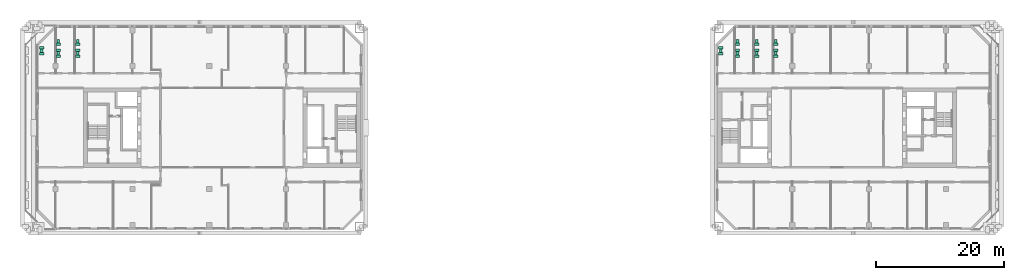
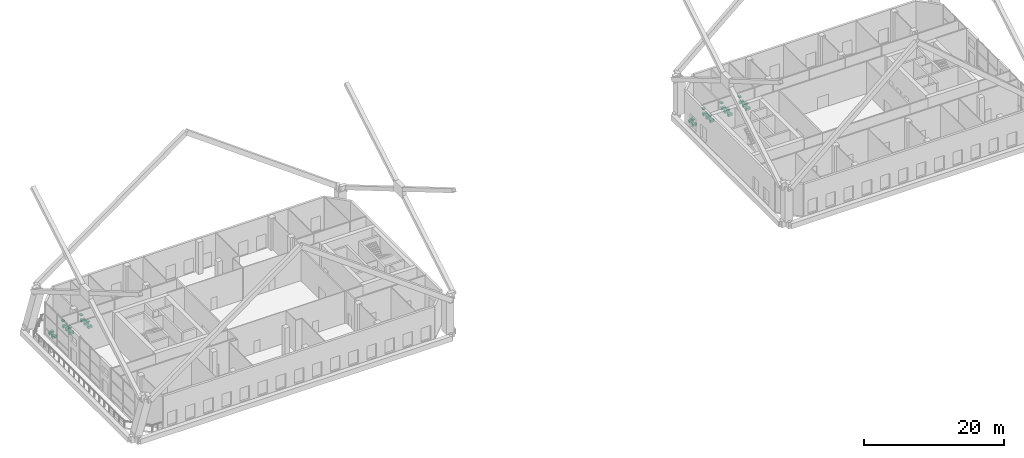
# One storey, part 20 of 20: 31 sanitary terminals.
"""IFC4 building model written with IfcOpenShell, lengths in metres."""

from ifc_helpers import new_model, si_unit, direction, frame, origin, origin_2d, place, context, subcontext, project, spatial, rectangle, extrude, element, save


model = new_model("IFC4")

# Units and contexts
model_context = context("Model", 3, precision=1e-05, world=origin(), true_north=direction((0.0, 1.0)))
body_context = subcontext(model_context, "Body", "Model", "MODEL_VIEW")
ifc_project = project(units=[si_unit("LENGTHUNIT", "METRE"), si_unit("AREAUNIT", "SQUARE_METRE"), si_unit("VOLUMEUNIT", "CUBIC_METRE"), si_unit("PLANEANGLEUNIT", "RADIAN"), si_unit("MASSUNIT", "GRAM", prefix="KILO")], contexts=[model_context])

# Site, building, storey
site_placement = place(None, origin())
site = spatial("IfcSite", under=ifc_project, at=site_placement, CompositionType="ELEMENT")
building_placement = place(site_placement, origin())
building = spatial("IfcBuilding", under=site, at=building_placement, Name="Tuart Gate Housing", CompositionType="ELEMENT")
storey_placement = place(building_placement, frame((0.0, 0.0, 90.199951171875)))
storey = spatial("IfcBuildingStorey", under=building, at=storey_placement, Name="L25", CompositionType="ELEMENT", Elevation=90.199951171875)

# Sanitary terminals
for number, where, z_axis, x_axis, name in (
    (1, (25.81005859375, 81.52001953125, 0.0), (0.0, 0.0, 1.0), (1.0, 0.0, 0.0), "Water closet"),
    (2, (25.81005859375, 82.470947265625, 0.0), (0.0, 0.0, 1.0), (1.0, 0.0, 0.0), "Water closet"),
):
    element("IfcSanitaryTerminal", number, at=place(storey_placement, frame(where, z_axis=z_axis, x_axis=x_axis)), inside=storey, Name=name, PredefinedType="TOILETPAN", context=body_context, shape_type="SweptSolid", body=[
        extrude(rectangle(XDim=0.699951171875, YDim=0.39990234375, at=origin_2d()), origin(), (0.0, 0.0, 1.0), 0.39990234375),
    ])
sanitary_terminal_1_placement = place(storey_placement, frame((25.81005859375, 81.9951171875, 0.75), z_axis=(0.0, 0.0, 1.0), x_axis=(1.0, 0.0, 0.0)))
element("IfcSanitaryTerminal", 3, at=sanitary_terminal_1_placement, inside=storey, Name="Wash basin", PredefinedType="WASHHANDBASIN", context=body_context, shape_type="SweptSolid", body=[
    extrude(rectangle(XDim=0.39990234375, YDim=0.5, at=origin_2d()), origin(), (0.0, 0.0, 1.0), 0.199951171875),
])
for number, where, z_axis, x_axis, name in (
    (4, (28.449951171875, 81.1201171875, 0.0), (0.0, 0.0, 1.0), (1.0, 0.0, 0.0), "Water closet"),
    (5, (28.449951171875, 82.070068359375, 0.0), (0.0, 0.0, 1.0), (1.0, 0.0, 0.0), "Water closet"),
    (6, (28.449951171875, 83.02001953125, 0.0), (0.0, 0.0, 1.0), (1.0, 0.0, 0.0), "Water closet"),
):
    element("IfcSanitaryTerminal", number, at=place(storey_placement, frame(where, z_axis=z_axis, x_axis=x_axis)), inside=storey, Name=name, PredefinedType="TOILETPAN", context=body_context, shape_type="SweptSolid", body=[
        extrude(rectangle(XDim=0.699951171875, YDim=0.39990234375, at=origin_2d()), origin(), (0.0, 0.0, 1.0), 0.39990234375),
    ])
for number, where, z_axis, x_axis, name in (
    (7, (28.449951171875, 81.594970703125, 0.75), (0.0, 0.0, 1.0), (1.0, 0.0, 0.0), "Wash basin"),
    (8, (28.449951171875, 83.4951171875, 0.75), (0.0, 0.0, 1.0), (1.0, 0.0, 0.0), "Wash basin"),
):
    element("IfcSanitaryTerminal", number, at=place(storey_placement, frame(where, z_axis=z_axis, x_axis=x_axis)), inside=storey, Name=name, PredefinedType="WASHHANDBASIN", context=body_context, shape_type="SweptSolid", body=[
        extrude(rectangle(XDim=0.39990234375, YDim=0.5, at=origin_2d()), origin(), (0.0, 0.0, 1.0), 0.199951171875),
    ])
for number, where, z_axis, x_axis, name in (
    (9, (31.449951171875, 81.1201171875, 0.0), (0.0, 0.0, 1.0), (1.0, 0.0, 0.0), "Water closet"),
    (10, (31.449951171875, 82.070068359375, 0.0), (0.0, 0.0, 1.0), (1.0, 0.0, 0.0), "Water closet"),
    (11, (31.449951171875, 83.02001953125, 0.0), (0.0, 0.0, 1.0), (1.0, 0.0, 0.0), "Water closet"),
):
    element("IfcSanitaryTerminal", number, at=place(storey_placement, frame(where, z_axis=z_axis, x_axis=x_axis)), inside=storey, Name=name, PredefinedType="TOILETPAN", context=body_context, shape_type="SweptSolid", body=[
        extrude(rectangle(XDim=0.699951171875, YDim=0.39990234375, at=origin_2d()), origin(), (0.0, 0.0, 1.0), 0.39990234375),
    ])
for number, where, z_axis, x_axis, name in (
    (12, (31.449951171875, 81.594970703125, 0.75), (0.0, 0.0, 1.0), (1.0, 0.0, 0.0), "Wash basin"),
    (13, (31.449951171875, 83.4951171875, 0.75), (0.0, 0.0, 1.0), (1.0, 0.0, 0.0), "Wash basin"),
):
    element("IfcSanitaryTerminal", number, at=place(storey_placement, frame(where, z_axis=z_axis, x_axis=x_axis)), inside=storey, Name=name, PredefinedType="WASHHANDBASIN", context=body_context, shape_type="SweptSolid", body=[
        extrude(rectangle(XDim=0.39990234375, YDim=0.5, at=origin_2d()), origin(), (0.0, 0.0, 1.0), 0.199951171875),
    ])
for number, where, z_axis, x_axis, name in (
    (14, (131.81005859375, 81.52001953125, 0.0), (0.0, 0.0, 1.0), (1.0, 0.0, 0.0), "Water closet"),
    (15, (131.81005859375, 82.470947265625, 0.0), (0.0, 0.0, 1.0), (1.0, 0.0, 0.0), "Water closet"),
):
    element("IfcSanitaryTerminal", number, at=place(storey_placement, frame(where, z_axis=z_axis, x_axis=x_axis)), inside=storey, Name=name, PredefinedType="TOILETPAN", context=body_context, shape_type="SweptSolid", body=[
        extrude(rectangle(XDim=0.699951171875, YDim=0.39990234375, at=origin_2d()), origin(), (0.0, 0.0, 1.0), 0.39990234375),
    ])
sanitary_terminal_2_placement = place(storey_placement, frame((131.81005859375, 81.9951171875, 0.75), z_axis=(0.0, 0.0, 1.0), x_axis=(1.0, 0.0, 0.0)))
element("IfcSanitaryTerminal", 16, at=sanitary_terminal_2_placement, inside=storey, Name="Wash basin", PredefinedType="WASHHANDBASIN", context=body_context, shape_type="SweptSolid", body=[
    extrude(rectangle(XDim=0.39990234375, YDim=0.5, at=origin_2d()), origin(), (0.0, 0.0, 1.0), 0.199951171875),
])
for number, where, z_axis, x_axis, name in (
    (17, (134.449951171875, 81.1201171875, 0.0), (0.0, 0.0, 1.0), (1.0, 0.0, 0.0), "Water closet"),
    (18, (134.449951171875, 82.070068359375, 0.0), (0.0, 0.0, 1.0), (1.0, 0.0, 0.0), "Water closet"),
    (19, (134.449951171875, 83.02001953125, 0.0), (0.0, 0.0, 1.0), (1.0, 0.0, 0.0), "Water closet"),
):
    element("IfcSanitaryTerminal", number, at=place(storey_placement, frame(where, z_axis=z_axis, x_axis=x_axis)), inside=storey, Name=name, PredefinedType="TOILETPAN", context=body_context, shape_type="SweptSolid", body=[
        extrude(rectangle(XDim=0.699951171875, YDim=0.39990234375, at=origin_2d()), origin(), (0.0, 0.0, 1.0), 0.39990234375),
    ])
for number, where, z_axis, x_axis, name in (
    (20, (134.449951171875, 81.594970703125, 0.75), (0.0, 0.0, 1.0), (1.0, 0.0, 0.0), "Wash basin"),
    (21, (134.449951171875, 83.4951171875, 0.75), (0.0, 0.0, 1.0), (1.0, 0.0, 0.0), "Wash basin"),
):
    element("IfcSanitaryTerminal", number, at=place(storey_placement, frame(where, z_axis=z_axis, x_axis=x_axis)), inside=storey, Name=name, PredefinedType="WASHHANDBASIN", context=body_context, shape_type="SweptSolid", body=[
        extrude(rectangle(XDim=0.39990234375, YDim=0.5, at=origin_2d()), origin(), (0.0, 0.0, 1.0), 0.199951171875),
    ])
for number, where, z_axis, x_axis, name in (
    (22, (137.449951171875, 81.1201171875, 0.0), (0.0, 0.0, 1.0), (1.0, 0.0, 0.0), "Water closet"),
    (23, (137.449951171875, 82.070068359375, 0.0), (0.0, 0.0, 1.0), (1.0, 0.0, 0.0), "Water closet"),
    (24, (137.449951171875, 83.02001953125, 0.0), (0.0, 0.0, 1.0), (1.0, 0.0, 0.0), "Water closet"),
):
    element("IfcSanitaryTerminal", number, at=place(storey_placement, frame(where, z_axis=z_axis, x_axis=x_axis)), inside=storey, Name=name, PredefinedType="TOILETPAN", context=body_context, shape_type="SweptSolid", body=[
        extrude(rectangle(XDim=0.699951171875, YDim=0.39990234375, at=origin_2d()), origin(), (0.0, 0.0, 1.0), 0.39990234375),
    ])
for number, where, z_axis, x_axis, name in (
    (25, (137.449951171875, 81.594970703125, 0.75), (0.0, 0.0, 1.0), (1.0, 0.0, 0.0), "Wash basin"),
    (26, (137.449951171875, 83.4951171875, 0.75), (0.0, 0.0, 1.0), (1.0, 0.0, 0.0), "Wash basin"),
):
    element("IfcSanitaryTerminal", number, at=place(storey_placement, frame(where, z_axis=z_axis, x_axis=x_axis)), inside=storey, Name=name, PredefinedType="WASHHANDBASIN", context=body_context, shape_type="SweptSolid", body=[
        extrude(rectangle(XDim=0.39990234375, YDim=0.5, at=origin_2d()), origin(), (0.0, 0.0, 1.0), 0.199951171875),
    ])
for number, where, z_axis, x_axis, name in (
    (27, (140.449951171875, 81.1201171875, 0.0), (0.0, 0.0, 1.0), (1.0, 0.0, 0.0), "Water closet"),
    (28, (140.449951171875, 82.070068359375, 0.0), (0.0, 0.0, 1.0), (1.0, 0.0, 0.0), "Water closet"),
    (29, (140.449951171875, 83.02001953125, 0.0), (0.0, 0.0, 1.0), (1.0, 0.0, 0.0), "Water closet"),
):
    element("IfcSanitaryTerminal", number, at=place(storey_placement, frame(where, z_axis=z_axis, x_axis=x_axis)), inside=storey, Name=name, PredefinedType="TOILETPAN", context=body_context, shape_type="SweptSolid", body=[
        extrude(rectangle(XDim=0.699951171875, YDim=0.39990234375, at=origin_2d()), origin(), (0.0, 0.0, 1.0), 0.39990234375),
    ])
for number, where, z_axis, x_axis, name in (
    (30, (140.449951171875, 81.594970703125, 0.75), (0.0, 0.0, 1.0), (1.0, 0.0, 0.0), "Wash basin"),
    (31, (140.449951171875, 83.4951171875, 0.75), (0.0, 0.0, 1.0), (1.0, 0.0, 0.0), "Wash basin"),
):
    element("IfcSanitaryTerminal", number, at=place(storey_placement, frame(where, z_axis=z_axis, x_axis=x_axis)), inside=storey, Name=name, PredefinedType="WASHHANDBASIN", context=body_context, shape_type="SweptSolid", body=[
        extrude(rectangle(XDim=0.39990234375, YDim=0.5, at=origin_2d()), origin(), (0.0, 0.0, 1.0), 0.199951171875),
    ])

save(model, "model.ifc")
